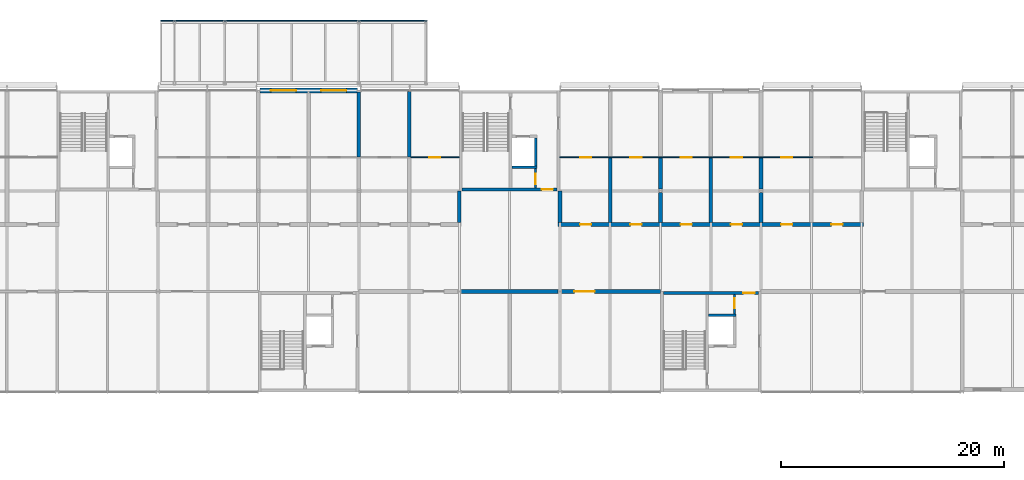
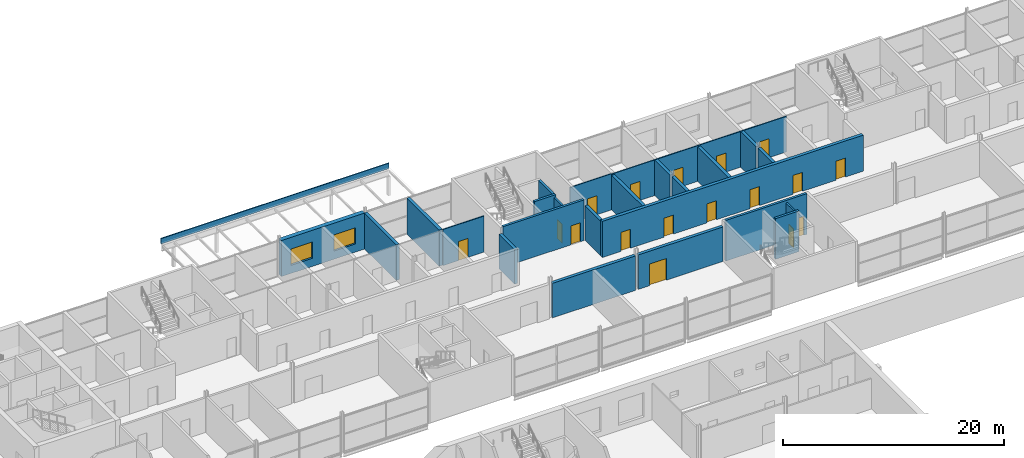
# One storey, part 79 of 97: 25 walls, 17 doors, 2 windows, 19 openings.
"""IFC4 building model written with IfcOpenShell, lengths in metres."""

from ifc_helpers import new_model, si_unit, direction, frame, frame_2d, origin, place, context, subcontext, project, spatial, rectangle, extrude, material, layer, layer_set, type_object, element, fill, save


model = new_model("IFC4")

# Units and contexts
model_context = context("Model", 3, precision=1e-05, world=origin(), true_north=direction((0.0, 1.0)))
body_context = subcontext(model_context, "Body", "Model", "MODEL_VIEW")
ifc_project = project(units=[si_unit("LENGTHUNIT", "METRE"), si_unit("AREAUNIT", "SQUARE_METRE"), si_unit("VOLUMEUNIT", "CUBIC_METRE"), si_unit("PLANEANGLEUNIT", "RADIAN"), si_unit("MASSUNIT", "GRAM", prefix="KILO")], contexts=[model_context])

# Site, building, storey
site_placement = place(None, origin())
site = spatial("IfcSite", under=ifc_project, at=site_placement, CompositionType="ELEMENT")
building_placement = place(site_placement, origin())
building = spatial("IfcBuilding", under=site, at=building_placement, Name="Corbel Yard City Hall", CompositionType="ELEMENT")
storey_placement = place(building_placement, frame((0.0, 0.0, 6.0)))
storey = spatial("IfcBuildingStorey", under=building, at=storey_placement, Name="L01", CompositionType="ELEMENT", Elevation=6.0)

# Wall, opening, door
ifc_material_1 = material(Name="Concrete N50 (50 MPa)", Category="concrete")
ifc_layer_1 = layer(ifc_material_1, 0.25)
ifc_layer_set_1 = layer_set([ifc_layer_1], Name="Concrete N50 (50 MPa)")
wall_type_1 = type_object("IfcWallType", Name="Core cell wall 250", PredefinedType="SHEAR", material=ifc_layer_set_1)
wall_1_placement = place(storey_placement, frame((99.25, 108.125, 0.0), z_axis=(0.0, 0.0, 1.0), x_axis=(1.0, 0.0, 0.0)))
wall_1 = element("IfcWall", 1, at=wall_1_placement, inside=storey, type_object=wall_type_1, Name="Core PC-N2 south wall", PredefinedType="SHEAR", context=body_context, shape_type="SweptSolid", body=[
    extrude(rectangle(XDim=8.5, YDim=0.25, at=frame_2d((4.25, 0.0))), origin(), (0.0, 0.0, 1.0), 4.5),
])
opening_1_placement = place(wall_1_placement, frame((7.125, 0.0, 0.0)))
opening_1 = element("IfcOpeningElement", 2, at=opening_1_placement, cuts=wall_1, Name="Opening L01-155", PredefinedType="OPENING", context=body_context, shape_type="SweptSolid", body=[
    extrude(rectangle(XDim=1.0, YDim=2.10009765625, at=frame_2d((0.5, 1.050048828125))), frame((0.0, 0.135009765625, 0.0), z_axis=(0.0, -1.0, 0.0), x_axis=(1.0, 0.0, 0.0)), (0.0, 0.0, 1.0), 0.27001953125),
])
ifc_material_2 = material(Name="Steel Grade G250", Category="steel")
door_type_1 = type_object("IfcDoorType", Name="FS1", OperationType="SINGLE_SWING_LEFT", PredefinedType="DOOR", material=ifc_material_2)
door_1_placement = place(opening_1_placement, origin())
door_1 = element("IfcDoor", 3, at=door_1_placement, inside=storey, type_object=door_type_1, Name="Door Lift Lobby", OperationType="SINGLE_SWING_RIGHT", OverallHeight=2.10009765625, OverallWidth=1.0, PredefinedType="DOOR", context=body_context, shape_type="SweptSolid", body=[
    extrude(rectangle(XDim=1.0, YDim=2.10009765625, at=frame_2d((0.5, 1.050048828125))), frame((0.0, 0.02490234375, 0.0), z_axis=(0.0, -1.0, 0.0), x_axis=(1.0, 0.0, 0.0)), (0.0, 0.0, 1.0), 0.050048828125),
])
fill(opening_1, door_1)

wall_2_placement = place(storey_placement, frame((117.25, 98.875, 0.0), z_axis=(0.0, 0.0, 1.0), x_axis=(1.0, 0.0, 0.0)))
wall_2 = element("IfcWall", 4, at=wall_2_placement, inside=storey, type_object=wall_type_1, Name="Core PC-N6 north wall", PredefinedType="SHEAR", context=body_context, shape_type="SweptSolid", body=[
    extrude(rectangle(XDim=8.5, YDim=0.25, at=frame_2d((4.25, 0.0))), origin(), (0.0, 0.0, 1.0), 4.5),
])
opening_2_placement = place(wall_2_placement, frame((7.175048828125, 0.0, 0.0)))
opening_2 = element("IfcOpeningElement", 5, at=opening_2_placement, cuts=wall_2, Name="Opening L01-163", PredefinedType="OPENING", context=body_context, shape_type="SweptSolid", body=[
    extrude(rectangle(XDim=1.0, YDim=2.10009765625, at=frame_2d((0.5, 1.050048828125))), frame((0.0, 0.135009765625, 0.0), z_axis=(0.0, -1.0, 0.0), x_axis=(1.0, 0.0, 0.0)), (0.0, 0.0, 1.0), 0.27001953125),
])
door_2_placement = place(opening_2_placement, frame((1.0, 0.0, 0.0), z_axis=(0.0, 0.0, 1.0), x_axis=(-1.0, 0.0, 0.0)))
door_2 = element("IfcDoor", 6, at=door_2_placement, inside=storey, type_object=door_type_1, Name="Door Lift Lobby", OperationType="SINGLE_SWING_LEFT", OverallHeight=2.10009765625, OverallWidth=1.0, PredefinedType="DOOR", context=body_context, shape_type="SweptSolid", body=[
    extrude(rectangle(XDim=1.0, YDim=2.10009765625, at=frame_2d((0.5, 1.050048828125))), frame((0.0, 0.02490234375, 0.0), z_axis=(0.0, -1.0, 0.0), x_axis=(1.0, 0.0, 0.0)), (0.0, 0.0, 1.0), 0.050048828125),
])
fill(opening_2, door_2)

# Wall, openings, windows
ifc_material_3 = material(Name="Sandstone cladding", Category="masonry")
ifc_layer_2 = layer(ifc_material_3, 0.06005859375)
ifc_material_4 = material(Name="Air cavity", Category="air")
ifc_layer_3 = layer(ifc_material_4, 0.0400390625)
ifc_material_5 = material(Name="Concrete N40 (40 MPa)", Category="concrete")
ifc_layer_4 = layer(ifc_material_5, 0.25)
ifc_material_6 = material(Name="Mineral wool", Category="insulation")
ifc_layer_5 = layer(ifc_material_6, 0.10009765625)
ifc_layer_set_2 = layer_set([ifc_layer_2, ifc_layer_3, ifc_layer_4, ifc_layer_5], Name="Concrete N40 (40 MPa)")
wall_type_2 = type_object("IfcWallType", Name="EW2", PredefinedType="SOLIDWALL", material=ifc_layer_set_2)
wall_3_placement = place(storey_placement, frame((81.1298828125, 117.0, 0.0), z_axis=(0.0, 0.0, 1.0), x_axis=(1.0, 0.0, 0.0)))
wall_3 = element("IfcWall", 7, at=wall_3_placement, inside=storey, type_object=wall_type_2, Name="Entrance pier wall", PredefinedType="SOLIDWALL", context=body_context, shape_type="SweptSolid", body=[
    extrude(rectangle(XDim=8.740234375, YDim=0.449951171875, at=frame_2d((4.3701171875, 0.0))), origin(), (0.0, 0.0, 1.0), 3.990966796875),
])
opening_3_placement = place(wall_3_placement, frame((0.9951171875, 0.0, 0.89990234375)))
opening_3 = element("IfcOpeningElement", 8, at=opening_3_placement, cuts=wall_3, Name="Opening WN15", PredefinedType="OPENING", context=body_context, shape_type="SweptSolid", body=[
    extrude(rectangle(XDim=2.25, YDim=1.800048828125, at=frame_2d((1.125, 0.89990234375))), frame((0.0, 0.23486328125, 0.0), z_axis=(0.0, -1.0, 0.0), x_axis=(1.0, 0.0, 0.0)), (0.0, 0.0, 1.0), 0.469970703125),
])
opening_4_placement = place(wall_3_placement, frame((5.4951171875, 0.0, 0.89990234375)))
opening_4 = element("IfcOpeningElement", 9, at=opening_4_placement, cuts=wall_3, Name="Opening WN15", PredefinedType="OPENING", context=body_context, shape_type="SweptSolid", body=[
    extrude(rectangle(XDim=2.25, YDim=1.800048828125, at=frame_2d((1.125, 0.89990234375))), frame((0.0, 0.23486328125, 0.0), z_axis=(0.0, -1.0, 0.0), x_axis=(1.0, 0.0, 0.0)), (0.0, 0.0, 1.0), 0.469970703125),
])
ifc_material_7 = material(Name="Aluminium frame, double glazed low-e glass", Category="aluminium")
window_type = type_object("IfcWindowType", Name="WN15", PartitioningType="SINGLE_PANEL", PredefinedType="WINDOW", material=ifc_material_7)
window_1_placement = place(opening_3_placement, origin())
window_1 = element("IfcWindow", 10, at=window_1_placement, inside=storey, type_object=window_type, Name="Window WN15 L01", OverallHeight=1.800048828125, OverallWidth=2.25, PartitioningType="SINGLE_PANEL", PredefinedType="WINDOW", context=body_context, shape_type="SweptSolid", body=[
    extrude(rectangle(XDim=2.25, YDim=1.800048828125, at=frame_2d((1.125, 0.89990234375))), frame((0.0, 0.030029296875, 0.0), z_axis=(0.0, -1.0, 0.0), x_axis=(1.0, 0.0, 0.0)), (0.0, 0.0, 1.0), 0.06005859375),
])
fill(opening_3, window_1)
window_2_placement = place(opening_4_placement, origin())
window_2 = element("IfcWindow", 11, at=window_2_placement, inside=storey, type_object=window_type, Name="Window WN15 L01", OverallHeight=1.800048828125, OverallWidth=2.25, PartitioningType="SINGLE_PANEL", PredefinedType="WINDOW", context=body_context, shape_type="SweptSolid", body=[
    extrude(rectangle(XDim=2.25, YDim=1.800048828125, at=frame_2d((1.125, 0.89990234375))), frame((0.0, 0.030029296875, 0.0), z_axis=(0.0, -1.0, 0.0), x_axis=(1.0, 0.0, 0.0)), (0.0, 0.0, 1.0), 0.06005859375),
])
fill(opening_4, window_2)

# Walls
ifc_layer_6 = layer(ifc_material_5, 0.25)
ifc_layer_set_3 = layer_set([ifc_layer_6], Name="Concrete N40 (40 MPa)")
wall_type_3 = type_object("IfcWallType", Name="IW2", PredefinedType="SOLIDWALL", material=ifc_layer_set_3)
wall_4_placement = place(storey_placement, frame((103.699951171875, 110.125, 0.0), z_axis=(0.0, 0.0, 1.0), x_axis=(1.0, 0.0, 0.0)))
element("IfcWall", 12, at=wall_4_placement, inside=storey, type_object=wall_type_3, Name="Lift LP17 shaft wall", PredefinedType="SOLIDWALL", context=body_context, shape_type="SweptSolid", body=[
    extrude(rectangle(XDim=2.25, YDim=0.25, at=frame_2d((1.125, 0.0))), origin(), (0.0, 0.0, 1.0), 4.5),
])
wall_5_placement = place(storey_placement, frame((105.824951171875, 110.25, 0.0), z_axis=(0.0, 0.0, 1.0), x_axis=(0.0, 1.0, 0.0)))
element("IfcWall", 13, at=wall_5_placement, inside=storey, type_object=wall_type_3, Name="Lift LP17 shaft wall", PredefinedType="SOLIDWALL", context=body_context, shape_type="SweptSolid", body=[
    extrude(rectangle(XDim=2.5, YDim=0.25, at=frame_2d((1.25, 0.0))), origin(), (0.0, 0.0, 1.0), 4.5),
])
wall_6_placement = place(storey_placement, frame((121.300048828125, 96.875, 0.0), z_axis=(0.0, 0.0, 1.0), x_axis=(1.0, 0.0, 0.0)))
element("IfcWall", 14, at=wall_6_placement, inside=storey, type_object=wall_type_3, Name="Lift LP21 shaft wall", PredefinedType="SOLIDWALL", context=body_context, shape_type="SweptSolid", body=[
    extrude(rectangle(XDim=2.449951171875, YDim=0.25, at=frame_2d((1.22509765625, 0.0))), origin(), (0.0, 0.0, 1.0), 4.5),
])
ifc_material_8 = material(Name="Gypsum plasterboard", Category="gypsum")
ifc_layer_7 = layer(ifc_material_8, 0.031982421875)
ifc_material_9 = material(Name="Steel Grade G550 (550 MPa yield)", Category="steel")
ifc_layer_8 = layer(ifc_material_9, 0.260986328125)
ifc_layer_9 = layer(ifc_material_8, 0.031982421875)
ifc_layer_set_4 = layer_set([ifc_layer_7, ifc_layer_8, ifc_layer_9], Name="Steel Grade G550 (550 MPa yield)")
wall_type_4 = type_object("IfcWallType", Name="PT20", PredefinedType="PARTITIONING", material=ifc_layer_set_4)
wall_7_placement = place(storey_placement, frame((99.157470703125, 99.0, 0.0), z_axis=(0.0, 0.0, 1.0), x_axis=(1.0, 0.0, 0.0)))
element("IfcWall", 15, at=wall_7_placement, inside=storey, type_object=wall_type_4, Name="Acoustic partition", PredefinedType="PARTITIONING", context=body_context, shape_type="SweptSolid", body=[
    extrude(rectangle(XDim=8.68505859375, YDim=0.324951171875, at=frame_2d((4.342529296875, 0.0))), origin(), (0.0, 0.0, 1.0), 3.822021484375),
])

# Wall, opening, door
wall_8_placement = place(storey_placement, frame((108.157470703125, 99.0, 0.0), z_axis=(0.0, 0.0, 1.0), x_axis=(1.0, 0.0, 0.0)))
wall_8 = element("IfcWall", 16, at=wall_8_placement, inside=storey, type_object=wall_type_4, Name="Acoustic partition", PredefinedType="PARTITIONING", context=body_context, shape_type="SweptSolid", body=[
    extrude(rectangle(XDim=8.842529296875, YDim=0.324951171875, at=frame_2d((4.42138671875, 0.0))), origin(), (0.0, 0.0, 1.0), 3.822021484375),
])
opening_5_placement = place(wall_8_placement, frame((1.142578125, 0.0, 0.0)))
opening_5 = element("IfcOpeningElement", 17, at=opening_5_placement, cuts=wall_8, Name="Opening L01-182", PredefinedType="OPENING", context=body_context, shape_type="SweptSolid", body=[
    extrude(rectangle(XDim=1.800048828125, YDim=2.39990234375, at=frame_2d((0.89990234375, 1.199951171875))), frame((0.0, 0.17236328125, 0.0), z_axis=(0.0, -1.0, 0.0), x_axis=(1.0, 0.0, 0.0)), (0.0, 0.0, 1.0), 0.344970703125),
])
ifc_material_10 = material(Name="Timber", Category="wood")
door_type_2 = type_object("IfcDoorType", Name="D38", OperationType="DOUBLE_DOOR_SINGLE_SWING", PredefinedType="DOOR", material=ifc_material_10)
door_3_placement = place(opening_5_placement, origin())
door_3 = element("IfcDoor", 18, at=door_3_placement, inside=storey, type_object=door_type_2, Name="Door Committee Room 15", OperationType="DOUBLE_DOOR_SINGLE_SWING", OverallHeight=2.39990234375, OverallWidth=1.800048828125, PredefinedType="DOOR", context=body_context, shape_type="SweptSolid", body=[
    extrude(rectangle(XDim=1.800048828125, YDim=2.39990234375, at=frame_2d((0.89990234375, 1.199951171875))), frame((0.0, 0.02490234375, 0.0), z_axis=(0.0, -1.0, 0.0), x_axis=(1.0, 0.0, 0.0)), (0.0, 0.0, 1.0), 0.050048828125),
])
fill(opening_5, door_3)

# Wall, openings, doors
wall_9_placement = place(storey_placement, frame((107.83740234375, 105.0, 0.0), z_axis=(0.0, 0.0, 1.0), x_axis=(1.0, 0.0, 0.0)))
wall_9 = element("IfcWall", 19, at=wall_9_placement, inside=storey, type_object=wall_type_4, Name="Acoustic partition", PredefinedType="PARTITIONING", context=body_context, shape_type="SweptSolid", body=[
    extrude(rectangle(XDim=27.3251953125, YDim=0.324951171875, at=frame_2d((13.66259765625, 0.0))), origin(), (0.0, 0.0, 1.0), 3.993896484375),
])
opening_6_placement = place(wall_9_placement, frame((1.96240234375, 0.0, 0.0)))
opening_6 = element("IfcOpeningElement", 20, at=opening_6_placement, cuts=wall_9, Name="Opening L01-202", PredefinedType="OPENING", context=body_context, shape_type="SweptSolid", body=[
    extrude(rectangle(XDim=1.0, YDim=2.10009765625, at=frame_2d((0.5, 1.050048828125))), frame((0.0, 0.17236328125, 0.0), z_axis=(0.0, -1.0, 0.0), x_axis=(1.0, 0.0, 0.0)), (0.0, 0.0, 1.0), 0.344970703125),
])
opening_7_placement = place(wall_9_placement, frame((6.46240234375, 0.0, 0.0)))
opening_7 = element("IfcOpeningElement", 21, at=opening_7_placement, cuts=wall_9, Name="Opening L01-204", PredefinedType="OPENING", context=body_context, shape_type="SweptSolid", body=[
    extrude(rectangle(XDim=1.0, YDim=2.10009765625, at=frame_2d((0.5, 1.050048828125))), frame((0.0, 0.17236328125, 0.0), z_axis=(0.0, -1.0, 0.0), x_axis=(1.0, 0.0, 0.0)), (0.0, 0.0, 1.0), 0.344970703125),
])
opening_8_placement = place(wall_9_placement, frame((10.96240234375, 0.0, 0.0)))
opening_8 = element("IfcOpeningElement", 22, at=opening_8_placement, cuts=wall_9, Name="Opening L01-206", PredefinedType="OPENING", context=body_context, shape_type="SweptSolid", body=[
    extrude(rectangle(XDim=1.0, YDim=2.10009765625, at=frame_2d((0.5, 1.050048828125))), frame((0.0, 0.17236328125, 0.0), z_axis=(0.0, -1.0, 0.0), x_axis=(1.0, 0.0, 0.0)), (0.0, 0.0, 1.0), 0.344970703125),
])
opening_9_placement = place(wall_9_placement, frame((15.46240234375, 0.0, 0.0)))
opening_9 = element("IfcOpeningElement", 23, at=opening_9_placement, cuts=wall_9, Name="Opening L01-208", PredefinedType="OPENING", context=body_context, shape_type="SweptSolid", body=[
    extrude(rectangle(XDim=1.0, YDim=2.10009765625, at=frame_2d((0.5, 1.050048828125))), frame((0.0, 0.17236328125, 0.0), z_axis=(0.0, -1.0, 0.0), x_axis=(1.0, 0.0, 0.0)), (0.0, 0.0, 1.0), 0.344970703125),
])
opening_10_placement = place(wall_9_placement, frame((19.96240234375, 0.0, 0.0)))
opening_10 = element("IfcOpeningElement", 24, at=opening_10_placement, cuts=wall_9, Name="Opening L01-210", PredefinedType="OPENING", context=body_context, shape_type="SweptSolid", body=[
    extrude(rectangle(XDim=1.0, YDim=2.10009765625, at=frame_2d((0.5, 1.050048828125))), frame((0.0, 0.17236328125, 0.0), z_axis=(0.0, -1.0, 0.0), x_axis=(1.0, 0.0, 0.0)), (0.0, 0.0, 1.0), 0.344970703125),
])
opening_11_placement = place(wall_9_placement, frame((24.46240234375, 0.0, 0.0)))
opening_11 = element("IfcOpeningElement", 25, at=opening_11_placement, cuts=wall_9, Name="Opening L01-212", PredefinedType="OPENING", context=body_context, shape_type="SweptSolid", body=[
    extrude(rectangle(XDim=1.0, YDim=2.10009765625, at=frame_2d((0.5, 1.050048828125))), frame((0.0, 0.17236328125, 0.0), z_axis=(0.0, -1.0, 0.0), x_axis=(1.0, 0.0, 0.0)), (0.0, 0.0, 1.0), 0.344970703125),
])
door_type_3 = type_object("IfcDoorType", Name="D1", OperationType="SINGLE_SWING_LEFT", PredefinedType="DOOR", material=ifc_material_10)
door_4_placement = place(opening_6_placement, origin())
door_4 = element("IfcDoor", 26, at=door_4_placement, inside=storey, type_object=door_type_3, Name="Door Councillor's Assistant Room 09", OperationType="SINGLE_SWING_RIGHT", OverallHeight=2.10009765625, OverallWidth=1.0, PredefinedType="DOOR", context=body_context, shape_type="SweptSolid", body=[
    extrude(rectangle(XDim=1.0, YDim=2.10009765625, at=frame_2d((0.5, 1.050048828125))), frame((0.0, 0.02490234375, 0.0), z_axis=(0.0, -1.0, 0.0), x_axis=(1.0, 0.0, 0.0)), (0.0, 0.0, 1.0), 0.050048828125),
])
fill(opening_6, door_4)
door_5_placement = place(opening_7_placement, origin())
door_5 = element("IfcDoor", 27, at=door_5_placement, inside=storey, type_object=door_type_3, Name="Door Councillor's Assistant Room 10", OperationType="SINGLE_SWING_RIGHT", OverallHeight=2.10009765625, OverallWidth=1.0, PredefinedType="DOOR", context=body_context, shape_type="SweptSolid", body=[
    extrude(rectangle(XDim=1.0, YDim=2.10009765625, at=frame_2d((0.5, 1.050048828125))), frame((0.0, 0.02490234375, 0.0), z_axis=(0.0, -1.0, 0.0), x_axis=(1.0, 0.0, 0.0)), (0.0, 0.0, 1.0), 0.050048828125),
])
fill(opening_7, door_5)
door_6_placement = place(opening_8_placement, origin())
door_6 = element("IfcDoor", 28, at=door_6_placement, inside=storey, type_object=door_type_3, Name="Door Councillor's Assistant Room 11", OperationType="SINGLE_SWING_RIGHT", OverallHeight=2.10009765625, OverallWidth=1.0, PredefinedType="DOOR", context=body_context, shape_type="SweptSolid", body=[
    extrude(rectangle(XDim=1.0, YDim=2.10009765625, at=frame_2d((0.5, 1.050048828125))), frame((0.0, 0.02490234375, 0.0), z_axis=(0.0, -1.0, 0.0), x_axis=(1.0, 0.0, 0.0)), (0.0, 0.0, 1.0), 0.050048828125),
])
fill(opening_8, door_6)
door_7_placement = place(opening_9_placement, origin())
door_7 = element("IfcDoor", 29, at=door_7_placement, inside=storey, type_object=door_type_3, Name="Door Councillor's Assistant Room 12", OperationType="SINGLE_SWING_RIGHT", OverallHeight=2.10009765625, OverallWidth=1.0, PredefinedType="DOOR", context=body_context, shape_type="SweptSolid", body=[
    extrude(rectangle(XDim=1.0, YDim=2.10009765625, at=frame_2d((0.5, 1.050048828125))), frame((0.0, 0.02490234375, 0.0), z_axis=(0.0, -1.0, 0.0), x_axis=(1.0, 0.0, 0.0)), (0.0, 0.0, 1.0), 0.050048828125),
])
fill(opening_9, door_7)
door_8_placement = place(opening_10_placement, origin())
door_8 = element("IfcDoor", 30, at=door_8_placement, inside=storey, type_object=door_type_3, Name="Door Councillor's Assistant Room 13", OperationType="SINGLE_SWING_RIGHT", OverallHeight=2.10009765625, OverallWidth=1.0, PredefinedType="DOOR", context=body_context, shape_type="SweptSolid", body=[
    extrude(rectangle(XDim=1.0, YDim=2.10009765625, at=frame_2d((0.5, 1.050048828125))), frame((0.0, 0.02490234375, 0.0), z_axis=(0.0, -1.0, 0.0), x_axis=(1.0, 0.0, 0.0)), (0.0, 0.0, 1.0), 0.050048828125),
])
fill(opening_10, door_8)
door_9_placement = place(opening_11_placement, origin())
door_9 = element("IfcDoor", 31, at=door_9_placement, inside=storey, type_object=door_type_3, Name="Door Councillor's Assistant Room 14", OperationType="SINGLE_SWING_RIGHT", OverallHeight=2.10009765625, OverallWidth=1.0, PredefinedType="DOOR", context=body_context, shape_type="SweptSolid", body=[
    extrude(rectangle(XDim=1.0, YDim=2.10009765625, at=frame_2d((0.5, 1.050048828125))), frame((0.0, 0.02490234375, 0.0), z_axis=(0.0, -1.0, 0.0), x_axis=(1.0, 0.0, 0.0)), (0.0, 0.0, 1.0), 0.050048828125),
])
fill(opening_11, door_9)

# Walls
wall_10_placement = place(storey_placement, frame((90.0, 111.050048828125, 0.0), z_axis=(0.0, 0.0, 1.0), x_axis=(0.0, 1.0, 0.0)))
element("IfcWall", 32, at=wall_10_placement, inside=storey, type_object=wall_type_4, Name="Acoustic partition", PredefinedType="PARTITIONING", context=body_context, shape_type="SweptSolid", body=[
    extrude(rectangle(XDim=5.820068359375, YDim=0.324951171875, at=frame_2d((2.91015625, 0.0))), origin(), (0.0, 0.0, 1.0), 3.947021484375),
])
wall_11_placement = place(storey_placement, frame((94.5, 111.050048828125, 0.0), z_axis=(0.0, 0.0, 1.0), x_axis=(0.0, 1.0, 0.0)))
element("IfcWall", 33, at=wall_11_placement, inside=storey, type_object=wall_type_4, Name="Acoustic partition", PredefinedType="PARTITIONING", context=body_context, shape_type="SweptSolid", body=[
    extrude(rectangle(XDim=5.849853515625, YDim=0.324951171875, at=frame_2d((2.9248046875, 0.0))), origin(), (0.0, 0.0, 1.0), 3.993896484375),
])
for number, where, z_axis, x_axis, name in (
    (34, (99.0, 105.16259765625, 0.0), (0.0, 0.0, 1.0), (0.0, 1.0, 0.0), "Acoustic partition"),
    (35, (108.0, 105.16259765625, 0.0), (0.0, 0.0, 1.0), (0.0, 1.0, 0.0), "Acoustic partition"),
):
    element("IfcWall", number, at=place(storey_placement, frame(where, z_axis=z_axis, x_axis=x_axis)), inside=storey, type_object=wall_type_4, Name=name, PredefinedType="PARTITIONING", context=body_context, shape_type="SweptSolid", body=[
        extrude(rectangle(XDim=2.83740234375, YDim=0.324951171875, at=frame_2d((1.418701171875, 0.0))), origin(), (0.0, 0.0, 1.0), 3.822021484375),
    ])
wall_12_placement = place(storey_placement, frame((112.5, 105.16259765625, 0.0), z_axis=(0.0, 0.0, 1.0), x_axis=(0.0, 1.0, 0.0)))
element("IfcWall", 36, at=wall_12_placement, inside=storey, type_object=wall_type_4, Name="Acoustic partition", PredefinedType="PARTITIONING", context=body_context, shape_type="SweptSolid", body=[
    extrude(rectangle(XDim=5.787353515625, YDim=0.324951171875, at=frame_2d((2.8935546875, 0.0))), origin(), (0.0, 0.0, 1.0), 3.822021484375),
])
wall_13_placement = place(storey_placement, frame((117.0, 105.16259765625, 0.0), z_axis=(0.0, 0.0, 1.0), x_axis=(0.0, 1.0, 0.0)))
element("IfcWall", 37, at=wall_13_placement, inside=storey, type_object=wall_type_4, Name="Acoustic partition", PredefinedType="PARTITIONING", context=body_context, shape_type="SweptSolid", body=[
    extrude(rectangle(XDim=2.679931640625, YDim=0.324951171875, at=frame_2d((1.33984375, 0.0))), origin(), (0.0, 0.0, 1.0), 3.993896484375),
])
wall_14_placement = place(storey_placement, frame((117.0, 108.157470703125, 0.0), z_axis=(0.0, 0.0, 1.0), x_axis=(0.0, 1.0, 0.0)))
element("IfcWall", 38, at=wall_14_placement, inside=storey, type_object=wall_type_4, Name="Acoustic partition", PredefinedType="PARTITIONING", context=body_context, shape_type="SweptSolid", body=[
    extrude(rectangle(XDim=2.79248046875, YDim=0.324951171875, at=frame_2d((1.396240234375, 0.0))), origin(), (0.0, 0.0, 1.0), 3.947021484375),
])
wall_15_placement = place(storey_placement, frame((121.5, 105.16259765625, 0.0), z_axis=(0.0, 0.0, 1.0), x_axis=(0.0, 1.0, 0.0)))
element("IfcWall", 39, at=wall_15_placement, inside=storey, type_object=wall_type_4, Name="Acoustic partition", PredefinedType="PARTITIONING", context=body_context, shape_type="SweptSolid", body=[
    extrude(rectangle(XDim=5.787353515625, YDim=0.324951171875, at=frame_2d((2.8935546875, 0.0))), origin(), (0.0, 0.0, 1.0), 3.822021484375),
])
wall_16_placement = place(storey_placement, frame((126.0, 105.16259765625, 0.0), z_axis=(0.0, 0.0, 1.0), x_axis=(0.0, 1.0, 0.0)))
element("IfcWall", 40, at=wall_16_placement, inside=storey, type_object=wall_type_4, Name="Acoustic partition", PredefinedType="PARTITIONING", context=body_context, shape_type="SweptSolid", body=[
    extrude(rectangle(XDim=2.679931640625, YDim=0.324951171875, at=frame_2d((1.33984375, 0.0))), origin(), (0.0, 0.0, 1.0), 3.993896484375),
])
wall_17_placement = place(storey_placement, frame((126.0, 108.157470703125, 0.0), z_axis=(0.0, 0.0, 1.0), x_axis=(0.0, 1.0, 0.0)))
element("IfcWall", 41, at=wall_17_placement, inside=storey, type_object=wall_type_4, Name="Acoustic partition", PredefinedType="PARTITIONING", context=body_context, shape_type="SweptSolid", body=[
    extrude(rectangle(XDim=2.79248046875, YDim=0.324951171875, at=frame_2d((1.396240234375, 0.0))), origin(), (0.0, 0.0, 1.0), 3.947021484375),
])

# Wall, opening, door
ifc_layer_10 = layer(ifc_material_8, 0.01806640625)
ifc_layer_11 = layer(ifc_material_9, 0.06396484375)
ifc_layer_12 = layer(ifc_material_8, 0.01806640625)
ifc_layer_set_5 = layer_set([ifc_layer_10, ifc_layer_11, ifc_layer_12], Name="Steel Grade G550 (550 MPa yield)")
wall_type_5 = type_object("IfcWallType", Name="PT23", PredefinedType="PARTITIONING", material=ifc_layer_set_5)
wall_18_placement = place(storey_placement, frame((94.66259765625, 111.0, 0.0), z_axis=(0.0, 0.0, 1.0), x_axis=(1.0, 0.0, 0.0)))
wall_18 = element("IfcWall", 42, at=wall_18_placement, inside=storey, type_object=wall_type_5, Name="Light partition", PredefinedType="PARTITIONING", context=body_context, shape_type="SweptSolid", body=[
    extrude(rectangle(XDim=4.33740234375, YDim=0.10009765625, at=frame_2d((2.168701171875, 0.0))), origin(), (0.0, 0.0, 1.0), 3.993896484375),
])
opening_12_placement = place(wall_18_placement, frame((1.637451171875, 0.0, 0.0)))
opening_12 = element("IfcOpeningElement", 43, at=opening_12_placement, cuts=wall_18, Name="Opening L01-201", PredefinedType="OPENING", context=body_context, shape_type="SweptSolid", body=[
    extrude(rectangle(XDim=1.0, YDim=2.10009765625, at=frame_2d((0.5, 1.050048828125))), frame((0.0, 0.06005859375, 0.0), z_axis=(0.0, -1.0, 0.0), x_axis=(1.0, 0.0, 0.0)), (0.0, 0.0, 1.0), 0.1201171875),
])
door_10_placement = place(opening_12_placement, origin())
door_10 = element("IfcDoor", 44, at=door_10_placement, inside=storey, type_object=door_type_3, Name="Door Councillor's Office 08", OperationType="SINGLE_SWING_LEFT", OverallHeight=2.10009765625, OverallWidth=1.0, PredefinedType="DOOR", context=body_context, shape_type="SweptSolid", body=[
    extrude(rectangle(XDim=1.0, YDim=2.10009765625, at=frame_2d((0.5, 1.050048828125))), frame((0.0, 0.02490234375, 0.0), z_axis=(0.0, -1.0, 0.0), x_axis=(1.0, 0.0, 0.0)), (0.0, 0.0, 1.0), 0.050048828125),
])
fill(opening_12, door_10)

wall_19_placement = place(storey_placement, frame((108.0, 111.0, 0.0), z_axis=(0.0, 0.0, 1.0), x_axis=(1.0, 0.0, 0.0)))
wall_19 = element("IfcWall", 45, at=wall_19_placement, inside=storey, type_object=wall_type_5, Name="Light partition", PredefinedType="PARTITIONING", context=body_context, shape_type="SweptSolid", body=[
    extrude(rectangle(XDim=4.33740234375, YDim=0.10009765625, at=frame_2d((2.168701171875, 0.0))), origin(), (0.0, 0.0, 1.0), 3.993896484375),
])
opening_13_placement = place(wall_19_placement, frame((1.800048828125, 0.0, 0.0)))
opening_13 = element("IfcOpeningElement", 46, at=opening_13_placement, cuts=wall_19, Name="Opening L01-203", PredefinedType="OPENING", context=body_context, shape_type="SweptSolid", body=[
    extrude(rectangle(XDim=1.0, YDim=2.10009765625, at=frame_2d((0.5, 1.050048828125))), frame((0.0, 0.06005859375, 0.0), z_axis=(0.0, -1.0, 0.0), x_axis=(1.0, 0.0, 0.0)), (0.0, 0.0, 1.0), 0.1201171875),
])
door_11_placement = place(opening_13_placement, origin())
door_11 = element("IfcDoor", 47, at=door_11_placement, inside=storey, type_object=door_type_3, Name="Door Councillor's Office 09", OperationType="SINGLE_SWING_RIGHT", OverallHeight=2.10009765625, OverallWidth=1.0, PredefinedType="DOOR", context=body_context, shape_type="SweptSolid", body=[
    extrude(rectangle(XDim=1.0, YDim=2.10009765625, at=frame_2d((0.5, 1.050048828125))), frame((0.0, 0.02490234375, 0.0), z_axis=(0.0, -1.0, 0.0), x_axis=(1.0, 0.0, 0.0)), (0.0, 0.0, 1.0), 0.050048828125),
])
fill(opening_13, door_11)

# Wall, openings, doors
wall_20_placement = place(storey_placement, frame((112.33740234375, 111.0, 0.0), z_axis=(0.0, 0.0, 1.0), x_axis=(1.0, 0.0, 0.0)))
wall_20 = element("IfcWall", 48, at=wall_20_placement, inside=storey, type_object=wall_type_5, Name="Light partition", PredefinedType="PARTITIONING", context=body_context, shape_type="SweptSolid", body=[
    extrude(rectangle(XDim=18.3251953125, YDim=0.10009765625, at=frame_2d((9.16259765625, 0.0))), origin(), (0.0, 0.0, 1.0), 3.947021484375),
])
opening_14_placement = place(wall_20_placement, frame((1.96240234375, 0.0, 0.0)))
opening_14 = element("IfcOpeningElement", 49, at=opening_14_placement, cuts=wall_20, Name="Opening L01-205", PredefinedType="OPENING", context=body_context, shape_type="SweptSolid", body=[
    extrude(rectangle(XDim=1.0, YDim=2.10009765625, at=frame_2d((0.5, 1.050048828125))), frame((0.0, 0.06005859375, 0.0), z_axis=(0.0, -1.0, 0.0), x_axis=(1.0, 0.0, 0.0)), (0.0, 0.0, 1.0), 0.1201171875),
])
opening_15_placement = place(wall_20_placement, frame((6.46240234375, 0.0, 0.0)))
opening_15 = element("IfcOpeningElement", 50, at=opening_15_placement, cuts=wall_20, Name="Opening L01-207", PredefinedType="OPENING", context=body_context, shape_type="SweptSolid", body=[
    extrude(rectangle(XDim=1.0, YDim=2.10009765625, at=frame_2d((0.5, 1.050048828125))), frame((0.0, 0.06005859375, 0.0), z_axis=(0.0, -1.0, 0.0), x_axis=(1.0, 0.0, 0.0)), (0.0, 0.0, 1.0), 0.1201171875),
])
opening_16_placement = place(wall_20_placement, frame((10.96240234375, 0.0, 0.0)))
opening_16 = element("IfcOpeningElement", 51, at=opening_16_placement, cuts=wall_20, Name="Opening L01-209", PredefinedType="OPENING", context=body_context, shape_type="SweptSolid", body=[
    extrude(rectangle(XDim=1.0, YDim=2.10009765625, at=frame_2d((0.5, 1.050048828125))), frame((0.0, 0.06005859375, 0.0), z_axis=(0.0, -1.0, 0.0), x_axis=(1.0, 0.0, 0.0)), (0.0, 0.0, 1.0), 0.1201171875),
])
opening_17_placement = place(wall_20_placement, frame((15.46240234375, 0.0, 0.0)))
opening_17 = element("IfcOpeningElement", 52, at=opening_17_placement, cuts=wall_20, Name="Opening L01-211", PredefinedType="OPENING", context=body_context, shape_type="SweptSolid", body=[
    extrude(rectangle(XDim=1.0, YDim=2.10009765625, at=frame_2d((0.5, 1.050048828125))), frame((0.0, 0.06005859375, 0.0), z_axis=(0.0, -1.0, 0.0), x_axis=(1.0, 0.0, 0.0)), (0.0, 0.0, 1.0), 0.1201171875),
])
door_12_placement = place(opening_14_placement, origin())
door_12 = element("IfcDoor", 53, at=door_12_placement, inside=storey, type_object=door_type_3, Name="Door Councillor's Office 10", OperationType="SINGLE_SWING_RIGHT", OverallHeight=2.10009765625, OverallWidth=1.0, PredefinedType="DOOR", context=body_context, shape_type="SweptSolid", body=[
    extrude(rectangle(XDim=1.0, YDim=2.10009765625, at=frame_2d((0.5, 1.050048828125))), frame((0.0, 0.02490234375, 0.0), z_axis=(0.0, -1.0, 0.0), x_axis=(1.0, 0.0, 0.0)), (0.0, 0.0, 1.0), 0.050048828125),
])
fill(opening_14, door_12)
door_13_placement = place(opening_15_placement, origin())
door_13 = element("IfcDoor", 54, at=door_13_placement, inside=storey, type_object=door_type_3, Name="Door Councillor's Office 11", OperationType="SINGLE_SWING_RIGHT", OverallHeight=2.10009765625, OverallWidth=1.0, PredefinedType="DOOR", context=body_context, shape_type="SweptSolid", body=[
    extrude(rectangle(XDim=1.0, YDim=2.10009765625, at=frame_2d((0.5, 1.050048828125))), frame((0.0, 0.02490234375, 0.0), z_axis=(0.0, -1.0, 0.0), x_axis=(1.0, 0.0, 0.0)), (0.0, 0.0, 1.0), 0.050048828125),
])
fill(opening_15, door_13)
door_14_placement = place(opening_16_placement, origin())
door_14 = element("IfcDoor", 55, at=door_14_placement, inside=storey, type_object=door_type_3, Name="Door Councillor's Office 12", OperationType="SINGLE_SWING_RIGHT", OverallHeight=2.10009765625, OverallWidth=1.0, PredefinedType="DOOR", context=body_context, shape_type="SweptSolid", body=[
    extrude(rectangle(XDim=1.0, YDim=2.10009765625, at=frame_2d((0.5, 1.050048828125))), frame((0.0, 0.02490234375, 0.0), z_axis=(0.0, -1.0, 0.0), x_axis=(1.0, 0.0, 0.0)), (0.0, 0.0, 1.0), 0.050048828125),
])
fill(opening_16, door_14)
door_15_placement = place(opening_17_placement, origin())
door_15 = element("IfcDoor", 56, at=door_15_placement, inside=storey, type_object=door_type_3, Name="Door Councillor's Office 13", OperationType="SINGLE_SWING_RIGHT", OverallHeight=2.10009765625, OverallWidth=1.0, PredefinedType="DOOR", context=body_context, shape_type="SweptSolid", body=[
    extrude(rectangle(XDim=1.0, YDim=2.10009765625, at=frame_2d((0.5, 1.050048828125))), frame((0.0, 0.02490234375, 0.0), z_axis=(0.0, -1.0, 0.0), x_axis=(1.0, 0.0, 0.0)), (0.0, 0.0, 1.0), 0.050048828125),
])
fill(opening_17, door_15)

# Wall, opening, door
ifc_material_11 = material(Name="Concrete block", Category="concrete")
ifc_layer_13 = layer(ifc_material_11, 0.18994140625)
ifc_layer_set_6 = layer_set([ifc_layer_13], Name="Concrete block")
wall_type_6 = type_object("IfcWallType", Name="PT4", PredefinedType="PARTITIONING", material=ifc_layer_set_6)
wall_21_placement = place(storey_placement, frame((105.824951171875, 108.25, 0.0), z_axis=(0.0, 0.0, 1.0), x_axis=(0.0, 1.0, 0.0)))
wall_21 = element("IfcWall", 57, at=wall_21_placement, inside=storey, type_object=wall_type_6, Name="Fire-resisting block wall", PredefinedType="PARTITIONING", context=body_context, shape_type="SweptSolid", body=[
    extrude(rectangle(XDim=1.75, YDim=0.18994140625, at=frame_2d((0.875, 0.0))), origin(), (0.0, 0.0, 1.0), 4.25),
])
opening_18_placement = place(wall_21_placement, frame((0.3525390625, 0.0, 0.0)))
opening_18 = element("IfcOpeningElement", 58, at=opening_18_placement, cuts=wall_21, Name="Opening L01-144", PredefinedType="OPENING", context=body_context, shape_type="SweptSolid", body=[
    extrude(rectangle(XDim=0.919921875, YDim=2.10009765625, at=frame_2d((0.4599609375, 1.050048828125))), frame((0.0, 0.10498046875, 0.0), z_axis=(0.0, -1.0, 0.0), x_axis=(1.0, 0.0, 0.0)), (0.0, 0.0, 1.0), 0.2099609375),
])
door_type_4 = type_object("IfcDoorType", Name="FS5", OperationType="SINGLE_SWING_RIGHT", PredefinedType="DOOR", material=ifc_material_2)
door_16_placement = place(opening_18_placement, origin())
door_16 = element("IfcDoor", 59, at=door_16_placement, inside=storey, type_object=door_type_4, Name="Door Service Riser", OperationType="SINGLE_SWING_LEFT", OverallHeight=2.10009765625, OverallWidth=0.919921875, PredefinedType="DOOR", context=body_context, shape_type="SweptSolid", body=[
    extrude(rectangle(XDim=0.919921875, YDim=2.10009765625, at=frame_2d((0.4599609375, 1.050048828125))), frame((0.0, 0.02490234375, 0.0), z_axis=(0.0, -1.0, 0.0), x_axis=(1.0, 0.0, 0.0)), (0.0, 0.0, 1.0), 0.050048828125),
])
fill(opening_18, door_16)

wall_22_placement = place(storey_placement, frame((123.625, 97.0, 0.0), z_axis=(0.0, 0.0, 1.0), x_axis=(0.0, 1.0, 0.0)))
wall_22 = element("IfcWall", 60, at=wall_22_placement, inside=storey, type_object=wall_type_6, Name="Fire-resisting block wall", PredefinedType="PARTITIONING", context=body_context, shape_type="SweptSolid", body=[
    extrude(rectangle(XDim=1.75, YDim=0.18994140625, at=frame_2d((0.875, 0.0))), origin(), (0.0, 0.0, 1.0), 4.25),
])
opening_19_placement = place(wall_22_placement, frame((0.4775390625, 0.0, 0.0)))
opening_19 = element("IfcOpeningElement", 61, at=opening_19_placement, cuts=wall_22, Name="Opening L01-152", PredefinedType="OPENING", context=body_context, shape_type="SweptSolid", body=[
    extrude(rectangle(XDim=0.919921875, YDim=2.10009765625, at=frame_2d((0.4599609375, 1.050048828125))), frame((0.0, 0.10498046875, 0.0), z_axis=(0.0, -1.0, 0.0), x_axis=(1.0, 0.0, 0.0)), (0.0, 0.0, 1.0), 0.2099609375),
])
door_17_placement = place(opening_19_placement, origin())
door_17 = element("IfcDoor", 62, at=door_17_placement, inside=storey, type_object=door_type_4, Name="Door Service Riser", OperationType="SINGLE_SWING_RIGHT", OverallHeight=2.10009765625, OverallWidth=0.919921875, PredefinedType="DOOR", context=body_context, shape_type="SweptSolid", body=[
    extrude(rectangle(XDim=0.919921875, YDim=2.10009765625, at=frame_2d((0.4599609375, 1.050048828125))), frame((0.0, 0.02490234375, 0.0), z_axis=(0.0, -1.0, 0.0), x_axis=(1.0, 0.0, 0.0)), (0.0, 0.0, 1.0), 0.050048828125),
])
fill(opening_19, door_17)

# Wall
ifc_material_12 = material(Name="Anodised aluminium", Category="aluminium")
ifc_layer_14 = layer(ifc_material_12, 0.10009765625)
ifc_layer_set_7 = layer_set([ifc_layer_14], Name="Anodised aluminium")
wall_type_7 = type_object("IfcWallType", Name="Portico Fascia", PredefinedType="PARAPET", material=ifc_layer_set_7)
wall_23_placement = place(storey_placement, frame((72.25, 123.25, 2.822021484375), z_axis=(0.0, 0.0, 1.0), x_axis=(1.0, 0.0, 0.0)))
element("IfcWall", 63, at=wall_23_placement, inside=storey, type_object=wall_type_7, Name="Portico Fascia", PredefinedType="PARAPET", context=body_context, shape_type="SweptSolid", body=[
    extrude(rectangle(XDim=23.875, YDim=0.10009765625, at=frame_2d((11.9375, 0.0))), origin(), (0.0, 0.0, 1.0), 0.60009765625),
])

save(model, "model.ifc")
